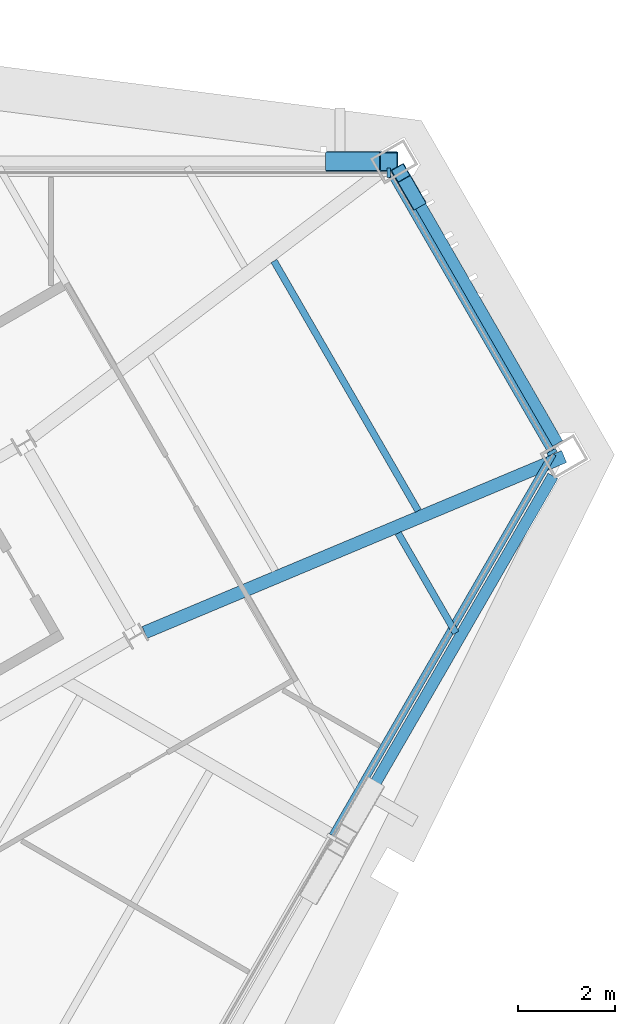
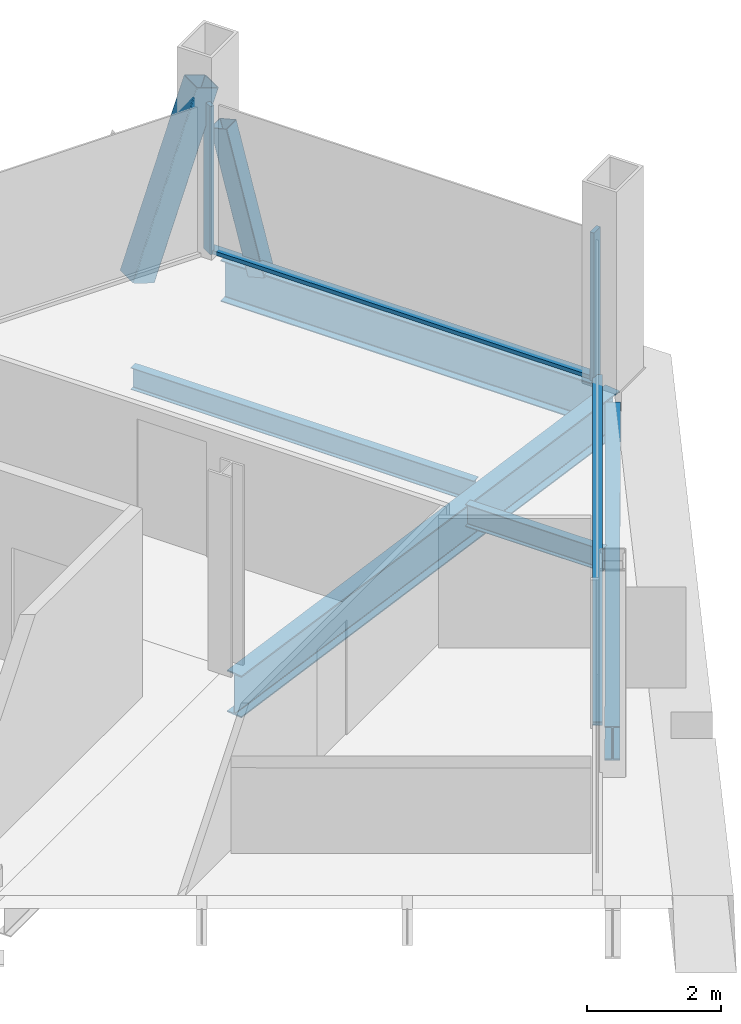
# One storey, part 8 of 15: 6 members, 5 beams, 3 elements without a shape of their own.
"""IFC4 building model written with IfcOpenShell, lengths in metres."""

import ifcopenshell
import ifcopenshell.guid

model = None  # the IFC model being written
_history = None  # IfcOwnerHistory: only IFC2X3 demands one
_inside = {}  # id of a spatial element -> (the spatial element, [elements in it])
_under = {}  # id of a project, library or spatial element -> (it, [spatial elements below it])
_declared = {}  # id of a project -> (the project, [libraries it declares])
_typed = {}  # id of a type object -> (the type object, [elements of that type])
_made_of = {}  # id of a material, layer set ... -> (it, [elements and type objects made of it])


def new_model(schema):
    """Start an empty IFC model of exactly this schema.

    Asked for "IFC4X3", IfcOpenShell would pick the latest addendum, in which some entities
    have other attributes; the version numbers below select the first issue.
    IFC2X3 requires an IfcOwnerHistory on every rooted entity: one is made here for all.
    """
    global model, _history
    if schema == "IFC4X3":
        model = ifcopenshell.file(schema_version=(4, 3, 0, 0))
    else:
        model = ifcopenshell.file(schema=schema)
    _inside.clear()
    _under.clear()
    _declared.clear()
    _typed.clear()
    _made_of.clear()
    _history = None
    if model.schema == "IFC2X3":
        org = make("IfcOrganization", Name="unknown")
        user = make(
            "IfcPersonAndOrganization",
            ThePerson=make("IfcPerson", FamilyName="unknown"),
            TheOrganization=org,
        )
        app = make(
            "IfcApplication",
            ApplicationDeveloper=org,
            Version="unknown",
            ApplicationFullName="unknown",
            ApplicationIdentifier="unknown",
        )
        _history = make(
            "IfcOwnerHistory",
            OwningUser=user,
            OwningApplication=app,
            ChangeAction="ADDED",
            CreationDate=0,
        )
    return model


def make(cls, **values):
    """One entity of the class cls with the attributes given. An attribute that is None is left unset."""
    return model.create_entity(
        cls, **{name: value for name, value in values.items() if value is not None}
    )


def rooted(cls, **values):
    """An entity with a GlobalId (a new one), such as an element, a storey or a relation."""
    return make(cls, GlobalId=ifcopenshell.guid.new(), OwnerHistory=_history, **values)


def si_unit(unit_type, name, prefix=None):
    """IfcSIUnit, for example si_unit("LENGTHUNIT", "METRE", prefix="MILLI")."""
    return make("IfcSIUnit", UnitType=unit_type, Prefix=prefix, Name=name)


def assignment(units):
    """IfcUnitAssignment: the units of a project."""
    return None if units is None else make("IfcUnitAssignment", Units=units)


def point(xyz):
    """IfcCartesianPoint."""
    return None if xyz is None else make("IfcCartesianPoint", Coordinates=xyz)


def direction(xyz):
    """IfcDirection."""
    return None if xyz is None else make("IfcDirection", DirectionRatios=xyz)


def frame(location, z_axis=None, x_axis=None):
    """IfcAxis2Placement3D, a coordinate frame: its origin and axes. An axis left out is left unset."""
    return make(
        "IfcAxis2Placement3D",
        Location=point(location),
        Axis=direction(z_axis),
        RefDirection=direction(x_axis),
    )


def frame_2d(location, x_axis=None):
    """IfcAxis2Placement2D, a coordinate frame in the plane: its origin and x axis."""
    return make(
        "IfcAxis2Placement2D", Location=point(location), RefDirection=direction(x_axis)
    )


def origin():
    """The frame at (0, 0, 0) with its axes left unset."""
    return frame((0.0, 0.0, 0.0))


def origin_2d():
    """The frame at (0, 0) in the plane with its x axis left unset."""
    return frame_2d((0.0, 0.0))


def place(relative_to, where):
    """IfcLocalPlacement: puts the frame where relative to a parent placement (None: the world)."""
    return make(
        "IfcLocalPlacement", PlacementRelTo=relative_to, RelativePlacement=where
    )


def context(
    kind, dimensions, precision=None, world=None, true_north=None, identifier=None
):
    """IfcGeometricRepresentationContext, for example the 3D "Model" context."""
    return make(
        "IfcGeometricRepresentationContext",
        ContextIdentifier=identifier,
        ContextType=kind,
        CoordinateSpaceDimension=dimensions,
        Precision=precision,
        WorldCoordinateSystem=world,
        TrueNorth=true_north,
    )


def subcontext(parent, identifier, kind, view, scale=None):
    """IfcGeometricRepresentationSubContext, for example "Body" below "Model"."""
    return make(
        "IfcGeometricRepresentationSubContext",
        ContextIdentifier=identifier,
        ContextType=kind,
        ParentContext=parent,
        TargetScale=scale,
        TargetView=view,
    )


def project(units=None, contexts=None):
    """IfcProject with its units and contexts."""
    return rooted(
        "IfcProject",
        Name="project",
        RepresentationContexts=contexts,
        UnitsInContext=assignment(units),
    )


def spatial(cls, under=None, at=None, **own):
    """A site, building, storey or space (cls), placed at a placement, below another one or the project."""
    s = rooted(cls, ObjectPlacement=at, **own)
    if under is not None:
        _under.setdefault(under.id(), (under, []))[1].append(s)
    return s


def profile(cls, at=None, kind="AREA", **sizes):
    """A parametric profile (cls). Its sizes go by their IFC names, for example OverallWidth=200.0."""
    return make(cls, ProfileType=kind, Position=at, **sizes)


def rectangle(**sizes):
    """IfcRectangleProfileDef."""
    return profile("IfcRectangleProfileDef", **sizes)


def hollow_rectangle(**sizes):
    """IfcRectangleHollowProfileDef."""
    return profile("IfcRectangleHollowProfileDef", **sizes)


def i_section(**sizes):
    """IfcIShapeProfileDef."""
    return profile("IfcIShapeProfileDef", **sizes)


def extrude(swept, where, along, depth):
    """IfcExtrudedAreaSolid: the profile swept, set in the frame where, extruded along a direction by depth."""
    return make(
        "IfcExtrudedAreaSolid",
        SweptArea=swept,
        Position=where,
        ExtrudedDirection=direction(along),
        Depth=depth,
    )


def shape(context_of_items, identifier, shape_type, items):
    """IfcShapeRepresentation: the items that make up one representation, for example the "Body"."""
    return make(
        "IfcShapeRepresentation",
        ContextOfItems=context_of_items,
        RepresentationIdentifier=identifier,
        RepresentationType=shape_type,
        Items=items,
    )


def material(Name=None, Category=None):
    """IfcMaterial."""
    return make("IfcMaterial", Name=Name, Category=Category)


def material_profile(
    of_material, cross_section, Name=None, Category=None, Priority=None
):
    """IfcMaterialProfile: a cross section and its material."""
    return make(
        "IfcMaterialProfile",
        Name=Name,
        Material=of_material,
        Profile=cross_section,
        Priority=Priority,
        Category=Category,
    )


def profile_set(profiles, Name=None, composite=None):
    """IfcMaterialProfileSet."""
    return make(
        "IfcMaterialProfileSet",
        Name=Name,
        MaterialProfiles=profiles,
        CompositeProfile=composite,
    )


def made_of(thing, what):
    """Note that an element or type object is made of a material, layer set ...; save() writes the relation."""
    if what is not None:
        _made_of.setdefault(what.id(), (what, []))[1].append(thing)
    return thing


def type_object(cls, material=None, **own):
    """A type object (cls), such as IfcWallType, which elements share."""
    return made_of(rooted(cls, **own), material)


def element(
    cls,
    number,
    at=None,
    inside=None,
    cuts=None,
    type_object=None,
    material=None,
    context=None,
    identifier="Body",
    shape_type=None,
    held_by="IfcProductDefinitionShape",
    body=None,
    shapes=None,
    **own,
):
    """One element of the class cls, such as IfcWall. Its Tag is "e" and its number.

    at: its placement. inside: the storey or other place that contains it. cuts: it is an
    opening in that element (IfcRelVoidsElement). A single representation is given by context,
    identifier, shape_type and body (its items); several are given by shapes. held_by: the class
    of the entity that holds the representations. save() writes the other relations.
    """
    e = rooted(cls, Tag="e%d" % number, ObjectPlacement=at, **own)
    if body is not None:
        shapes = [shape(context, identifier, shape_type, body)]
    if shapes is not None:
        e.Representation = make(held_by, Representations=shapes)
    if inside is not None:
        _inside.setdefault(inside.id(), (inside, []))[1].append(e)
    if cuts is not None:
        rooted(
            "IfcRelVoidsElement", RelatingBuildingElement=cuts, RelatedOpeningElement=e
        )
    if type_object is not None:
        _typed.setdefault(type_object.id(), (type_object, []))[1].append(e)
    return made_of(e, material)


def aggregate(whole, parts):
    """IfcRelAggregates: a whole, such as a stair, and the parts it consists of."""
    return rooted("IfcRelAggregates", RelatingObject=whole, RelatedObjects=parts)


def save(model, path):
    """Write the relations noted so far, then the file.

    IfcRelAggregates (storeys below a building ...), IfcRelContainedInSpatialStructure (elements
    in a storey), IfcRelDefinesByType, IfcRelAssociatesMaterial and IfcRelDeclares: one each for
    every whole, place, type object, material and project.
    """
    for whole, parts in _under.values():
        aggregate(whole, parts)
    for where, things in _inside.values():
        rooted(
            "IfcRelContainedInSpatialStructure",
            RelatedElements=things,
            RelatingStructure=where,
        )
    for kind, things in _typed.values():
        rooted("IfcRelDefinesByType", RelatedObjects=things, RelatingType=kind)
    for what, things in _made_of.values():
        rooted("IfcRelAssociatesMaterial", RelatedObjects=things, RelatingMaterial=what)
    for by, libraries in _declared.values():
        rooted("IfcRelDeclares", RelatingContext=by, RelatedDefinitions=libraries)
    model.write(path)


model = new_model("IFC4")

# Units and contexts
model_context = context("Model", 3, precision=1e-05, world=origin(), true_north=direction((0.0, 1.0)))
body_context = subcontext(model_context, "Body", "Model", "MODEL_VIEW")
ifc_project = project(units=[si_unit("LENGTHUNIT", "METRE"), si_unit("AREAUNIT", "SQUARE_METRE"), si_unit("VOLUMEUNIT", "CUBIC_METRE"), si_unit("PLANEANGLEUNIT", "RADIAN"), si_unit("MASSUNIT", "GRAM", prefix="KILO")], contexts=[model_context])

# Site, building, storey
site_placement = place(None, origin())
site = spatial("IfcSite", under=ifc_project, at=site_placement, CompositionType="ELEMENT")
building_placement = place(site_placement, origin())
building = spatial("IfcBuilding", under=site, at=building_placement, Name="Verrane Prism Tower", CompositionType="ELEMENT")
storey_placement = place(building_placement, frame((0.0, 0.0, 254.5)))
storey = spatial("IfcBuildingStorey", under=building, at=storey_placement, Name="L64", CompositionType="ELEMENT", Elevation=254.5)

# Member
ifc_material_1 = material(Name="Steel A500 Grade C", Category="steel")
ifc_material_profile_1 = material_profile(ifc_material_1, hollow_rectangle(XDim=0.3046875, YDim=0.3046875, WallThickness=0.0126953125, InnerFilletRadius=0.00634765625, OuterFilletRadius=0.01904296875, at=origin_2d()), Name="HSS12x12x1/2")
ifc_profile_set_1 = profile_set([ifc_material_profile_1], Name="Steel A500 Grade C")
member_type_1 = type_object("IfcMemberType", Name="Chamfer brace HSS12x12x1/2", PredefinedType="BRACE", material=ifc_profile_set_1)
member_1_placement = place(storey_placement, frame((23.30126953125, 16.43017578125, -0.24267578125), z_axis=(-0.126834392198, 0.219896874432, 0.967242679771), x_axis=(-0.866235353046, -0.499636180769, 0.0)))
element("IfcMember", 1, at=member_1_placement, inside=storey, type_object=member_type_1, Name="Chamfer brace NE0 L64", PredefinedType="BRACE", context=body_context, shape_type="SweptSolid", body=[
    extrude(hollow_rectangle(XDim=0.3046875, YDim=0.3046875, WallThickness=0.0126953125, InnerFilletRadius=0.00634765625, OuterFilletRadius=0.01904296875, at=origin_2d()), origin(), (0.0, 0.0, 1.0), 2.573486328125),
])

# Beams
ifc_material_2 = material(Name="Steel A992", Category="steel")
ifc_material_profile_2 = material_profile(ifc_material_2, i_section(OverallWidth=0.2666015625, OverallDepth=0.7568359375, WebThickness=0.013916015625, FlangeThickness=0.019287109375, FilletRadius=0.0166015625, at=origin_2d()), Name="W30x108")
ifc_profile_set_2 = profile_set([ifc_material_profile_2], Name="Steel A992")
beam_type_1 = type_object("IfcBeamType", Name="Chamfer spandrel beam W30x108", PredefinedType="SPANDREL", material=ifc_profile_set_2)
beam_1_placement = place(storey_placement, frame((26.190185546875, 11.419921875, -0.53857421875), z_axis=(-0.499500311129, 0.866313707142, 0.0), x_axis=(-0.866313707142, -0.499500311129, 0.0)))
element("IfcBeam", 2, at=beam_1_placement, inside=storey, type_object=beam_type_1, Name="Chamfer spandrel beam L64", PredefinedType="SPANDREL", context=body_context, shape_type="SweptSolid", body=[
    extrude(i_section(OverallWidth=0.2666015625, OverallDepth=0.7568359375, WebThickness=0.013916015625, FlangeThickness=0.019287109375, FilletRadius=0.0166015625, at=origin_2d()), origin(), (0.0, 0.0, 1.0), 6.40673828125),
])
ifc_material_3 = material(Name="Steel A992", Category="steel")
ifc_material_profile_3 = material_profile(ifc_material_3, i_section(OverallWidth=0.2666015625, OverallDepth=0.76708984375, WebThickness=0.014892578125, FlangeThickness=0.023681640625, FilletRadius=0.0166015625, at=origin_2d()), Name="W30x124")
ifc_profile_set_3 = profile_set([ifc_material_profile_3], Name="Steel A992")
beam_type_2 = type_object("IfcBeamType", Name="Corner girder W30x124", PredefinedType="BEAM", material=ifc_profile_set_3)
beam_2_placement = place(storey_placement, frame((26.338623046875, 11.159423828125, -0.603515625), z_axis=(-0.922149974892, -0.386832552671, 0.0), x_axis=(0.386832552671, -0.922149974892, 0.0)))
element("IfcBeam", 3, at=beam_2_placement, inside=storey, type_object=beam_type_2, Name="Corner girder L64", PredefinedType="BEAM", context=body_context, shape_type="SweptSolid", body=[
    extrude(i_section(OverallWidth=0.2666015625, OverallDepth=0.76708984375, WebThickness=0.014892578125, FlangeThickness=0.023681640625, FilletRadius=0.0166015625, at=origin_2d()), origin(), (0.0, 0.0, 1.0), 9.362060546875),
])

# Member
ifc_material_4 = material(Name="Steel A500 Grade C", Category="steel")
ifc_material_profile_4 = material_profile(ifc_material_4, hollow_rectangle(XDim=0.406494140625, YDim=0.406494140625, WallThickness=0.01904296875, InnerFilletRadius=0.009521484375, OuterFilletRadius=0.028564453125, at=origin_2d()), Name="HSS16x16x3/4")
ifc_profile_set_4 = profile_set([ifc_material_profile_4], Name="Steel A500 Grade C")
member_type_2 = type_object("IfcMemberType", Name="Facade brace HSS16x16x3/4", PredefinedType="BRACE", material=ifc_profile_set_4)
member_2_placement = place(storey_placement, frame((21.621826171875, 17.22998046875, -0.216796875), z_axis=(0.32870049797, 0.0, 0.944434212973), x_axis=(0.0, 1.0, 0.0)))
element("IfcMember", 4, at=member_2_placement, inside=storey, type_object=member_type_2, Name="Facade brace N0 L64", PredefinedType="BRACE", context=body_context, shape_type="SweptSolid", body=[
    extrude(hollow_rectangle(XDim=0.406494140625, YDim=0.406494140625, WallThickness=0.01904296875, InnerFilletRadius=0.009521484375, OuterFilletRadius=0.028564453125, at=origin_2d()), origin(), (0.0, 0.0, 1.0), 3.369140625),
])

# Beams
ifc_material_5 = material(Name="Steel A992", Category="steel")
ifc_material_profile_5 = material_profile(ifc_material_5, i_section(OverallWidth=0.140380859375, OverallDepth=0.40380859375, WebThickness=0.007080078125, FlangeThickness=0.01123046875, FilletRadius=0.01025390625, at=origin_2d()), Name="W16x31")
ifc_profile_set_5 = profile_set([ifc_material_profile_5], Name="Steel A992")
beam_type_3 = type_object("IfcBeamType", Name="Floor beam W16x31", PredefinedType="BEAM", material=ifc_profile_set_5)
beam_3_placement = place(storey_placement, frame((24.10888671875, 7.528076171875, -0.36181640625), z_axis=(-0.500025443912, 0.866010713236, 0.0), x_axis=(-0.866010713236, -0.500025443912, 0.0)))
element("IfcBeam", 5, at=beam_3_placement, inside=storey, type_object=beam_type_3, Name="Floor beam L64", PredefinedType="BEAM", context=body_context, shape_type="SweptSolid", body=[
    extrude(i_section(OverallWidth=0.140380859375, OverallDepth=0.40380859375, WebThickness=0.007080078125, FlangeThickness=0.01123046875, FilletRadius=0.01025390625, at=origin_2d()), origin(), (0.0, 0.0, 1.0), 2.37158203125),
])
beam_4_placement = place(storey_placement, frame((23.334716796875, 10.0439453125, -0.36181640625), z_axis=(-0.500019194352, 0.866014321637, 0.0), x_axis=(-0.866014321637, -0.500019194352, 0.0)))
element("IfcBeam", 6, at=beam_4_placement, inside=storey, type_object=beam_type_3, Name="Floor beam L64", PredefinedType="BEAM", context=body_context, shape_type="SweptSolid", body=[
    extrude(i_section(OverallWidth=0.140380859375, OverallDepth=0.40380859375, WebThickness=0.007080078125, FlangeThickness=0.01123046875, FilletRadius=0.01025390625, at=origin_2d()), origin(), (0.0, 0.0, 1.0), 5.934814453125),
])

# Curtain wall, member
ifc_material_6 = material(Name="Aluminium framed insulated glazing", Category="aluminium")
curtain_wall_type = type_object("IfcCurtainWallType", Name="Curtain wall CW-A 8400 module", PredefinedType="NOTDEFINED", material=ifc_material_6)
curtain_wall_1_placement = place(storey_placement, origin())
curtain_wall_1 = element("IfcCurtainWall", 7, at=curtain_wall_1_placement, inside=storey, type_object=curtain_wall_type, Name="Glazed curtain wall north-east corner L64", PredefinedType="NOTDEFINED")
ifc_material_7 = material(Name="Aluminium alloy 6063-T6", Category="aluminium")
ifc_material_profile_6 = material_profile(ifc_material_7, rectangle(XDim=0.199951171875, YDim=0.070068359375, at=origin_2d()), Name="Mullion 70x200 aluminium")
ifc_profile_set_6 = profile_set([ifc_material_profile_6], Name="Aluminium alloy 6063-T6")
member_type_3 = type_object("IfcMemberType", Name="Mullion 70x200 aluminium", PredefinedType="MULLION", material=ifc_profile_set_6)
member_3_placement = place(storey_placement, frame((26.08837890625, 11.24365234375, 0.0), z_axis=(0.0, 0.0, 1.0), x_axis=(-0.866027625781, -0.49999615137, 0.0)))
member_3 = element("IfcMember", 8, at=member_3_placement, type_object=member_type_3, Name="CW62.1 mullion 1", PredefinedType="MULLION", context=body_context, shape_type="SweptSolid", body=[
    extrude(rectangle(XDim=0.199951171875, YDim=0.070068359375, at=origin_2d()), origin(), (0.0, 0.0, 1.0), 2.712890625),
])

curtain_wall_2_placement = place(storey_placement, origin())
curtain_wall_2 = element("IfcCurtainWall", 9, at=curtain_wall_2_placement, inside=storey, type_object=curtain_wall_type, Name="Glazed curtain wall north face L64", PredefinedType="NOTDEFINED")
member_4_placement = place(storey_placement, frame((22.72900390625, 17.001708984375, 0.0), z_axis=(0.0, 0.0, 1.0), x_axis=(0.0, -1.0, 0.0)))
member_4 = element("IfcMember", 10, at=member_4_placement, type_object=member_type_3, Name="CW62.2 mullion 1", PredefinedType="MULLION", context=body_context, shape_type="SweptSolid", body=[
    extrude(rectangle(XDim=0.199951171875, YDim=0.070068359375, at=origin_2d()), origin(), (0.0, 0.0, 1.0), 2.712890625),
])
aggregate(curtain_wall_2, [member_4])

# Beam
ifc_material_8 = material(Name="Steel A992", Category="steel")
ifc_material_profile_7 = material_profile(ifc_material_8, i_section(OverallWidth=0.23046875, OverallDepth=0.6171875, WebThickness=0.01318359375, FlangeThickness=0.022216796875, FilletRadius=0.012939453125, at=origin_2d()), Name="W24x94")
ifc_profile_set_7 = profile_set([ifc_material_profile_7], Name="Steel A992")
beam_type_4 = type_object("IfcBeamType", Name="Spandrel beam W24x94", PredefinedType="SPANDREL", material=ifc_profile_set_7)
beam_5_placement = place(storey_placement, frame((21.86962890625, 3.422607421875, -0.468505859375), z_axis=(0.500266077884, 0.865871729137, 0.0), x_axis=(-0.865871729137, 0.500266077884, 0.0)))
element("IfcBeam", 11, at=beam_5_placement, inside=storey, type_object=beam_type_4, Name="Spandrel beam L64", PredefinedType="SPANDREL", context=body_context, shape_type="SweptSolid", body=[
    extrude(i_section(OverallWidth=0.23046875, OverallDepth=0.6171875, WebThickness=0.01318359375, FlangeThickness=0.022216796875, FilletRadius=0.012939453125, at=origin_2d()), origin(), (0.0, 0.0, 1.0), 8.47412109375),
])

# Member
ifc_material_9 = material(Name="Aluminium alloy 6063-T6", Category="aluminium")
ifc_material_profile_8 = material_profile(ifc_material_9, rectangle(XDim=0.14990234375, YDim=0.070068359375, at=origin_2d()), Name="Transom 70x150 aluminium")
ifc_profile_set_8 = profile_set([ifc_material_profile_8], Name="Aluminium alloy 6063-T6")
member_type_4 = type_object("IfcMemberType", Name="Transom 70x150 aluminium", PredefinedType="USERDEFINED", material=ifc_profile_set_8)
member_5_placement = place(storey_placement, frame((26.071044921875, 11.27392578125, 0.034912109375), z_axis=(-0.49999405694, 0.866028834985, 0.0), x_axis=(-0.866028834985, -0.49999405694, 0.0)))
member_5 = element("IfcMember", 12, at=member_5_placement, type_object=member_type_4, Name="CW62.1 transom 1", ObjectType="TRANSOM", PredefinedType="USERDEFINED", context=body_context, shape_type="SweptSolid", body=[
    extrude(rectangle(XDim=0.14990234375, YDim=0.070068359375, at=origin_2d()), origin(), (0.0, 0.0, 1.0), 6.61376953125),
])

aggregate(curtain_wall_1, [member_3, member_5])

# Curtain wall, member
curtain_wall_3_placement = place(storey_placement, origin())
curtain_wall_3 = element("IfcCurtainWall", 13, at=curtain_wall_3_placement, inside=storey, type_object=curtain_wall_type, Name="Glazed curtain wall south-east face L64", PredefinedType="NOTDEFINED")
member_6_placement = place(storey_placement, frame((21.57080078125, 3.35791015625, 0.034912109375), z_axis=(0.499983401189, 0.8660349869, 0.0), x_axis=(-0.8660349869, 0.499983401189, 0.0)))
member_6 = element("IfcMember", 14, at=member_6_placement, type_object=member_type_4, Name="CW62.6 transom 5", ObjectType="TRANSOM", PredefinedType="USERDEFINED", context=body_context, shape_type="SweptSolid", body=[
    extrude(rectangle(XDim=0.14990234375, YDim=0.070068359375, at=origin_2d()), origin(), (0.0, 0.0, 1.0), 9.070556640625),
])
aggregate(curtain_wall_3, [member_6])

save(model, "model.ifc")
